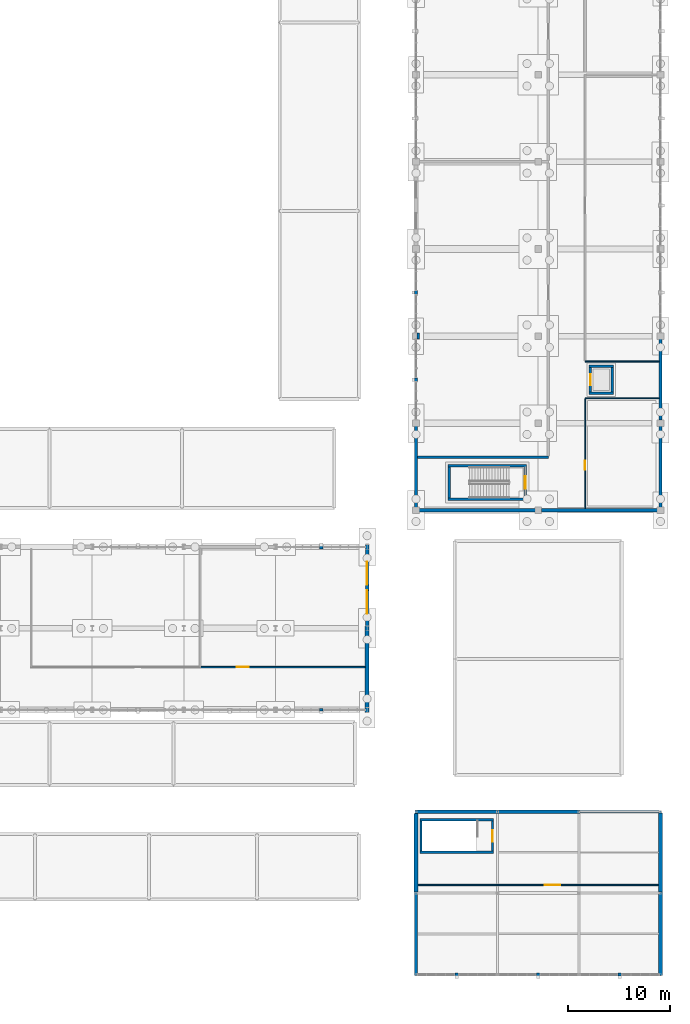
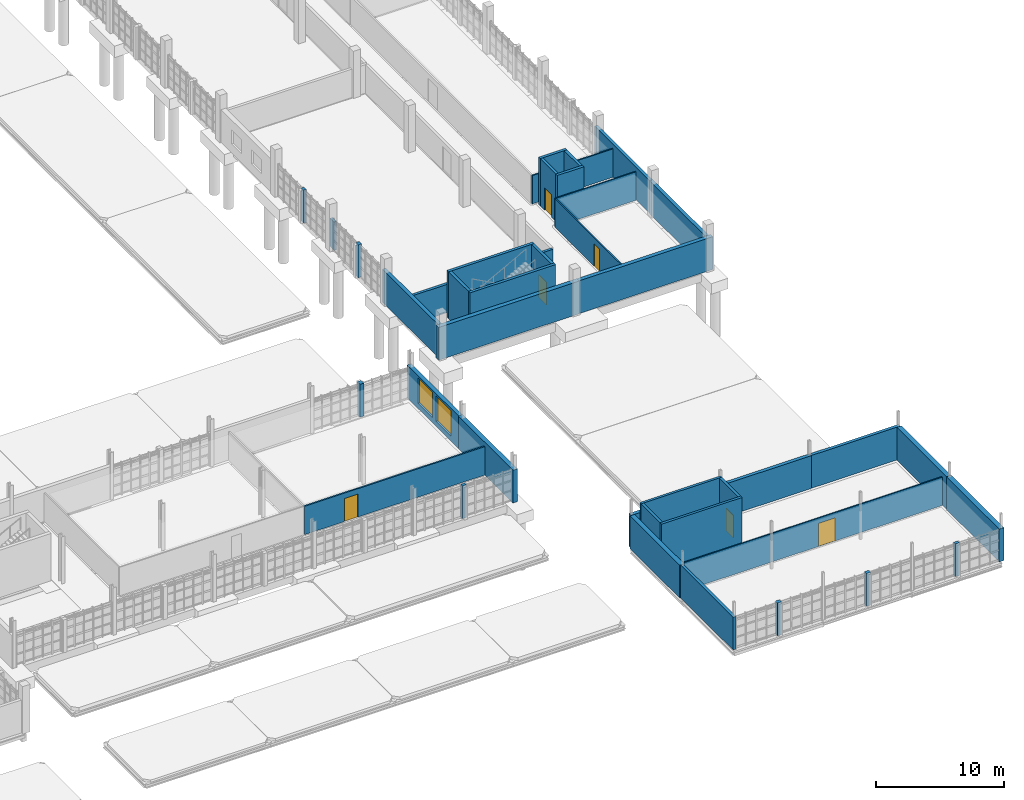
# One storey, part 106 of 125: 40 walls, 6 doors, 2 windows, 8 openings.
"""IFC4 building model written with IfcOpenShell, lengths in metres."""

from ifc_helpers import new_model, si_unit, direction, frame, frame_2d, origin, place, context, subcontext, project, spatial, rectangle, extrude, material, layer, layer_set, type_object, element, fill, save


model = new_model("IFC4")

# Units and contexts
model_context = context("Model", 3, precision=1e-05, world=origin(), true_north=direction((0.0, 1.0)))
body_context = subcontext(model_context, "Body", "Model", "MODEL_VIEW")
ifc_project = project(units=[si_unit("LENGTHUNIT", "METRE"), si_unit("AREAUNIT", "SQUARE_METRE"), si_unit("VOLUMEUNIT", "CUBIC_METRE"), si_unit("PLANEANGLEUNIT", "RADIAN"), si_unit("MASSUNIT", "GRAM", prefix="KILO")], contexts=[model_context])

# Site, building, storey
site_placement = place(None, origin())
site = spatial("IfcSite", under=ifc_project, at=site_placement, CompositionType="ELEMENT")
building_placement = place(site_placement, origin())
building = spatial("IfcBuilding", under=site, at=building_placement, Name="Serraforn Aerial Cableway Station", CompositionType="ELEMENT")
storey_placement = place(building_placement, frame((0.0, 0.0, 4.5)))
storey = spatial("IfcBuildingStorey", under=building, at=storey_placement, Name="L01", CompositionType="ELEMENT", Elevation=4.5)

# Wall, opening, door
ifc_material_1 = material(Name="Concrete C35/45", Category="concrete")
ifc_layer_1 = layer(ifc_material_1, 0.219970703125)
ifc_layer_set_1 = layer_set([ifc_layer_1], Name="Concrete C35/45")
wall_type_1 = type_object("IfcWallType", Name="WL-COR-220", PredefinedType="SHEAR", material=ifc_layer_set_1)
wall_1_placement = place(storey_placement, frame((151.510009765625, 15.10009765625, 0.0), z_axis=(0.0, 0.0, 1.0), x_axis=(0.0, -1.0, 0.0)))
wall_1 = element("IfcWall", 1, at=wall_1_placement, inside=storey, type_object=wall_type_1, Name="Stair Core Shear Wall WCOR-ST-07-L01-NEAR", PredefinedType="SHEAR", context=body_context, shape_type="SweptSolid", body=[
    extrude(rectangle(XDim=2.960205078125, YDim=0.219970703125, at=frame_2d((1.47998046875, 0.0))), origin(), (0.0, 0.0, 1.0), 4.5),
])
opening_1_placement = place(wall_1_placement, frame((0.905029296875, 0.0, 0.0)))
opening_1 = element("IfcOpeningElement", 2, at=opening_1_placement, cuts=wall_1, Name="Opening D-S32", PredefinedType="OPENING", context=body_context, shape_type="SweptSolid", body=[
    extrude(rectangle(XDim=1.14990234375, YDim=2.14990234375, at=frame_2d((0.574951171875, 1.074951171875))), frame((0.0, 0.119873046875, 0.0), z_axis=(0.0, -1.0, 0.0), x_axis=(1.0, 0.0, 0.0)), (0.0, 0.0, 1.0), 0.239990234375),
])
ifc_material_2 = material(Name="Self-closing steel stair fire door", Category="steel")
door_type_1 = type_object("IfcDoorType", Name="DR-STAIR-115", OperationType="NOTDEFINED", PredefinedType="DOOR", material=ifc_material_2)
door_1_placement = place(opening_1_placement, origin())
door_1 = element("IfcDoor", 3, at=door_1_placement, inside=storey, type_object=door_type_1, Name="Protected Stair Door D-S32", OperationType="SINGLE_SWING_RIGHT", OverallHeight=2.14990234375, OverallWidth=1.14990234375, PredefinedType="DOOR", context=body_context, shape_type="SweptSolid", body=[
    extrude(rectangle(XDim=1.14990234375, YDim=2.14990234375, at=frame_2d((0.574951171875, 1.074951171875))), frame((0.0, 0.02490234375, 0.0), z_axis=(0.0, -1.0, 0.0), x_axis=(1.0, 0.0, 0.0)), (0.0, 0.0, 1.0), 0.050048828125),
])
fill(opening_1, door_1)

# Walls
wall_2_placement = place(storey_placement, frame((144.489990234375, 15.10009765625, 0.0), z_axis=(0.0, 0.0, 1.0), x_axis=(0.0, -1.0, 0.0)))
element("IfcWall", 4, at=wall_2_placement, inside=storey, type_object=wall_type_1, Name="Stair Core Shear Wall WCOR-ST-07-L01-FAR", PredefinedType="SHEAR", context=body_context, shape_type="SweptSolid", body=[
    extrude(rectangle(XDim=2.960205078125, YDim=0.219970703125, at=frame_2d((1.47998046875, 0.0))), origin(), (0.0, 0.0, 1.0), 4.5),
])
for number, where, z_axis, x_axis, name in (
    (5, (151.6201171875, 15.2099609375, 0.0), (0.0, 0.0, 1.0), (-1.0, 0.0, 0.0), "Stair Core Shear Wall WCOR-ST-07-L01-L"),
    (6, (151.6201171875, 12.030029296875, 0.0), (0.0, 0.0, 1.0), (-1.0, 0.0, 0.0), "Stair Core Shear Wall WCOR-ST-07-L01-R"),
):
    element("IfcWall", number, at=place(storey_placement, frame(where, z_axis=z_axis, x_axis=x_axis)), inside=storey, type_object=wall_type_1, Name=name, PredefinedType="SHEAR", context=body_context, shape_type="SweptSolid", body=[
        extrude(rectangle(XDim=7.240234375, YDim=0.219970703125, at=frame_2d((3.6201171875, 0.0))), origin(), (0.0, 0.0, 1.0), 4.5),
    ])

# Wall, opening, door
ifc_layer_2 = layer(ifc_material_1, 0.25)
ifc_layer_set_2 = layer_set([ifc_layer_2], Name="Concrete C35/45")
wall_type_2 = type_object("IfcWallType", Name="WL-COR-250", PredefinedType="SHEAR", material=ifc_layer_set_2)
wall_3_placement = place(storey_placement, frame((154.72509765625, 49.860107421875, 0.0), z_axis=(0.0, 0.0, 1.0), x_axis=(0.0, -1.0, 0.0)))
wall_3 = element("IfcWall", 7, at=wall_3_placement, inside=storey, type_object=wall_type_2, Name="Stair Core Shear Wall WCOR-ST-10-L01-NEAR", PredefinedType="SHEAR", context=body_context, shape_type="SweptSolid", body=[
    extrude(rectangle(XDim=3.06005859375, YDim=0.25, at=frame_2d((1.530029296875, 0.0))), origin(), (0.0, 0.0, 1.0), 4.5),
])
opening_2_placement = place(wall_3_placement, frame((0.905029296875, 0.0, 0.0)))
opening_2 = element("IfcOpeningElement", 8, at=opening_2_placement, cuts=wall_3, Name="Opening D-S35", PredefinedType="OPENING", context=body_context, shape_type="SweptSolid", body=[
    extrude(rectangle(XDim=1.25, YDim=2.14990234375, at=frame_2d((0.625, 1.074951171875))), frame((0.0, 0.135009765625, 0.0), z_axis=(0.0, -1.0, 0.0), x_axis=(1.0, 0.0, 0.0)), (0.0, 0.0, 1.0), 0.27001953125),
])
door_type_2 = type_object("IfcDoorType", Name="DR-STAIR-125", OperationType="NOTDEFINED", PredefinedType="DOOR", material=ifc_material_2)
door_2_placement = place(opening_2_placement, origin())
door_2 = element("IfcDoor", 9, at=door_2_placement, inside=storey, type_object=door_type_2, Name="Protected Stair Door D-S35", OperationType="SINGLE_SWING_LEFT", OverallHeight=2.14990234375, OverallWidth=1.25, PredefinedType="DOOR", context=body_context, shape_type="SweptSolid", body=[
    extrude(rectangle(XDim=1.25, YDim=2.14990234375, at=frame_2d((0.625, 1.074951171875))), frame((0.0, 0.02490234375, 0.0), z_axis=(0.0, -1.0, 0.0), x_axis=(1.0, 0.0, 0.0)), (0.0, 0.0, 1.0), 0.050048828125),
])
fill(opening_2, door_2)

# Walls
wall_4_placement = place(storey_placement, frame((147.27490234375, 49.860107421875, 0.0), z_axis=(0.0, 0.0, 1.0), x_axis=(0.0, -1.0, 0.0)))
element("IfcWall", 10, at=wall_4_placement, inside=storey, type_object=wall_type_2, Name="Stair Core Shear Wall WCOR-ST-10-L01-FAR", PredefinedType="SHEAR", context=body_context, shape_type="SweptSolid", body=[
    extrude(rectangle(XDim=3.06005859375, YDim=0.25, at=frame_2d((1.530029296875, 0.0))), origin(), (0.0, 0.0, 1.0), 4.5),
])
for number, where, z_axis, x_axis, name in (
    (11, (154.85009765625, 49.985107421875, 0.0), (0.0, 0.0, 1.0), (-1.0, 0.0, 0.0), "Stair Core Shear Wall WCOR-ST-10-L01-L"),
    (12, (154.85009765625, 46.675048828125, 0.0), (0.0, 0.0, 1.0), (-1.0, 0.0, 0.0), "Stair Core Shear Wall WCOR-ST-10-L01-R"),
):
    element("IfcWall", number, at=place(storey_placement, frame(where, z_axis=z_axis, x_axis=x_axis)), inside=storey, type_object=wall_type_2, Name=name, PredefinedType="SHEAR", context=body_context, shape_type="SweptSolid", body=[
        extrude(rectangle(XDim=7.7001953125, YDim=0.25, at=frame_2d((3.85009765625, 0.0))), origin(), (0.0, 0.0, 1.0), 4.5),
    ])
for number, where, z_axis, x_axis, name in (
    (13, (161.0, 57.074951171875, 0.0), (0.0, 0.0, 1.0), (1.0, 0.0, 0.0), "Lift Shaft Shear Wall WLFT-LF-06-L01-S"),
    (14, (161.0, 59.72509765625, 0.0), (0.0, 0.0, 1.0), (1.0, 0.0, 0.0), "Lift Shaft Shear Wall WLFT-LF-06-L01-N"),
):
    element("IfcWall", number, at=place(storey_placement, frame(where, z_axis=z_axis, x_axis=x_axis)), inside=storey, type_object=wall_type_2, Name=name, PredefinedType="SHEAR", context=body_context, shape_type="SweptSolid", body=[
        extrude(rectangle(XDim=2.39990234375, YDim=0.25, at=frame_2d((1.199951171875, 0.0))), origin(), (0.0, 0.0, 1.0), 4.5),
    ])

# Wall, opening, door
wall_5_placement = place(storey_placement, frame((161.125, 57.199951171875, 0.0), z_axis=(0.0, 0.0, 1.0), x_axis=(0.0, 1.0, 0.0)))
wall_5 = element("IfcWall", 15, at=wall_5_placement, inside=storey, type_object=wall_type_2, Name="Lift Shaft Shear Wall WLFT-LF-06-L01-W", PredefinedType="SHEAR", context=body_context, shape_type="SweptSolid", body=[
    extrude(rectangle(XDim=2.400146484375, YDim=0.25, at=frame_2d((1.2001953125, 0.0))), origin(), (0.0, 0.0, 1.0), 4.5),
])
opening_3_placement = place(wall_5_placement, frame((0.64990234375, 0.0, 0.0)))
opening_3 = element("IfcOpeningElement", 16, at=opening_3_placement, cuts=wall_5, Name="Opening LD-22", PredefinedType="OPENING", context=body_context, shape_type="SweptSolid", body=[
    extrude(rectangle(XDim=1.10009765625, YDim=2.14990234375, at=frame_2d((0.550048828125, 1.074951171875))), frame((0.0, 0.135009765625, 0.0), z_axis=(0.0, -1.0, 0.0), x_axis=(1.0, 0.0, 0.0)), (0.0, 0.0, 1.0), 0.27001953125),
])
ifc_material_3 = material(Name="Brushed stainless-steel sliding lift landing door", Category="steel")
door_type_3 = type_object("IfcDoorType", Name="DR-LIFT-110", OperationType="SLIDING_TO_LEFT", PredefinedType="DOOR", material=ifc_material_3)
door_3_placement = place(opening_3_placement, origin())
door_3 = element("IfcDoor", 17, at=door_3_placement, inside=storey, type_object=door_type_3, Name="Sliding Lift Landing Door LD-22 (LF-06 L01)", OperationType="SLIDING_TO_LEFT", OverallHeight=2.14990234375, OverallWidth=1.10009765625, PredefinedType="DOOR", context=body_context, shape_type="SweptSolid", body=[
    extrude(rectangle(XDim=1.10009765625, YDim=2.14990234375, at=frame_2d((0.550048828125, 1.074951171875))), frame((0.0, 0.02490234375, 0.0), z_axis=(0.0, -1.0, 0.0), x_axis=(1.0, 0.0, 0.0)), (0.0, 0.0, 1.0), 0.050048828125),
])
fill(opening_3, door_3)

# Walls
wall_6_placement = place(storey_placement, frame((163.27490234375, 57.199951171875, 0.0), z_axis=(0.0, 0.0, 1.0), x_axis=(0.0, 1.0, 0.0)))
element("IfcWall", 18, at=wall_6_placement, inside=storey, type_object=wall_type_2, Name="Lift Shaft Shear Wall WLFT-LF-06-L01-E", PredefinedType="SHEAR", context=body_context, shape_type="SweptSolid", body=[
    extrude(rectangle(XDim=2.400146484375, YDim=0.25, at=frame_2d((1.2001953125, 0.0))), origin(), (0.0, 0.0, 1.0), 4.5),
])
ifc_material_4 = material(Name="Insulated stuccoed terracotta facade", Category="masonry")
ifc_layer_3 = layer(ifc_material_4, 0.260009765625)
ifc_layer_set_3 = layer_set([ifc_layer_3], Name="Insulated stuccoed terracotta facade")
wall_type_3 = type_object("IfcWallType", Name="WL-EXT-260", PredefinedType="SOLIDWALL", material=ifc_layer_set_3)
wall_7_placement = place(storey_placement, frame((144.0, 8.10009765625, 0.0), z_axis=(0.0, 0.0, 1.0), x_axis=(0.0, -1.0, 0.0)))
element("IfcWall", 19, at=wall_7_placement, inside=storey, type_object=wall_type_3, Name="Exterior Wall WEXT-ES-L01-W1", PredefinedType="SOLIDWALL", context=body_context, shape_type="SweptSolid", body=[
    extrude(rectangle(XDim=8.2001953125, YDim=0.260009765625, at=frame_2d((4.10009765625, 0.0))), origin(), (0.0, 0.0, 1.0), 3.1201171875),
])
wall_8_placement = place(storey_placement, frame((134.52001953125, 26.0, 0.0), z_axis=(0.0, 0.0, 1.0), x_axis=(1.0, 0.0, 0.0)))
element("IfcWall", 20, at=wall_8_placement, inside=storey, type_object=wall_type_3, Name="Exterior Wall WPIER-EL-L01-S5", PredefinedType="SOLIDWALL", context=body_context, shape_type="SweptSolid", body=[
    extrude(rectangle(XDim=0.35986328125, YDim=0.260009765625, at=frame_2d((0.179931640625, 0.0))), origin(), (0.0, 0.0, 1.0), 3.1201171875),
])
wall_9_placement = place(storey_placement, frame((144.0, 67.155029296875, 0.0), z_axis=(0.0, 0.0, 1.0), x_axis=(0.0, -1.0, 0.0)))
element("IfcWall", 21, at=wall_9_placement, inside=storey, type_object=wall_type_3, Name="Exterior Wall WPIER-EG-L01-W3", PredefinedType="SOLIDWALL", context=body_context, shape_type="SweptSolid", body=[
    extrude(rectangle(XDim=0.360107421875, YDim=0.260009765625, at=frame_2d((0.18017578125, 0.0))), origin(), (0.0, 0.0, 1.0), 3.1201171875),
])
ifc_layer_4 = layer(ifc_material_4, 0.27490234375)
ifc_layer_set_4 = layer_set([ifc_layer_4], Name="Insulated stuccoed terracotta facade")
wall_type_4 = type_object("IfcWallType", Name="WL-EXT-275", PredefinedType="SOLIDWALL", material=ifc_layer_set_4)
wall_10_placement = place(storey_placement, frame((168.10009765625, 16.0, 0.0), z_axis=(0.0, 0.0, 1.0), x_axis=(-1.0, 0.0, 0.0)))
element("IfcWall", 22, at=wall_10_placement, inside=storey, type_object=wall_type_4, Name="Exterior Wall WEXT-ES-L01-N3", PredefinedType="SOLIDWALL", context=body_context, shape_type="SweptSolid", body=[
    extrude(rectangle(XDim=7.9990234375, YDim=0.27490234375, at=frame_2d((3.99951171875, 0.0))), origin(), (0.0, 0.0, 1.0), 3.1201171875),
])
wall_11_placement = place(storey_placement, frame((168.0, 54.47607421875, 0.0), z_axis=(0.0, 0.0, 1.0), x_axis=(0.0, 1.0, 0.0)))
element("IfcWall", 23, at=wall_11_placement, inside=storey, type_object=wall_type_4, Name="Exterior Wall WEXT-EG-L01-E2", PredefinedType="SOLIDWALL", context=body_context, shape_type="SweptSolid", body=[
    extrude(rectangle(XDim=8.548828125, YDim=0.27490234375, at=frame_2d((4.2744140625, 0.0))), origin(), (0.0, 0.0, 1.0), 3.1201171875),
])
ifc_material_5 = material(Name="Insulated fluted limestone rainscreen", Category="masonry")
ifc_layer_5 = layer(ifc_material_5, 0.2900390625)
ifc_layer_set_5 = layer_set([ifc_layer_5], Name="Insulated fluted limestone rainscreen")
wall_type_5 = type_object("IfcWallType", Name="WL-EXT-290", PredefinedType="SOLIDWALL", material=ifc_layer_set_5)
for number, where, z_axis, x_axis, name in (
    (24, (163.820068359375, 0.0, 0.0), (0.0, 0.0, 1.0), (1.0, 0.0, 0.0), "Exterior Wall WPIER-ES-L01-S3"),
    (25, (144.0, 58.60498046875, 0.0), (0.0, 0.0, 1.0), (0.0, -1.0, 0.0), "Exterior Wall WPIER-EG-L01-W2"),
):
    element("IfcWall", number, at=place(storey_placement, frame(where, z_axis=z_axis, x_axis=x_axis)), inside=storey, type_object=wall_type_5, Name=name, PredefinedType="SOLIDWALL", context=body_context, shape_type="SweptSolid", body=[
        extrude(rectangle(XDim=0.35986328125, YDim=0.2900390625, at=frame_2d((0.179931640625, 0.0))), origin(), (0.0, 0.0, 1.0), 3.1201171875),
    ])
ifc_layer_6 = layer(ifc_material_5, 0.304931640625)
ifc_layer_set_6 = layer_set([ifc_layer_6], Name="Insulated fluted limestone rainscreen")
wall_type_6 = type_object("IfcWallType", Name="WL-EXT-305", PredefinedType="SOLIDWALL", material=ifc_layer_set_6)
wall_12_placement = place(storey_placement, frame((160.10009765625, 16.0, 0.0), z_axis=(0.0, 0.0, 1.0), x_axis=(-1.0, 0.0, 0.0)))
element("IfcWall", 26, at=wall_12_placement, inside=storey, type_object=wall_type_6, Name="Exterior Wall WEXT-ES-L01-N2", PredefinedType="SOLIDWALL", context=body_context, shape_type="SweptSolid", body=[
    extrude(rectangle(XDim=7.9990234375, YDim=0.304931640625, at=frame_2d((3.99951171875, 0.0))), origin(), (0.0, 0.0, 1.0), 3.1201171875),
])
wall_13_placement = place(storey_placement, frame((168.0, 45.77587890625, 0.0), z_axis=(0.0, 0.0, 1.0), x_axis=(0.0, 1.0, 0.0)))
element("IfcWall", 27, at=wall_13_placement, inside=storey, type_object=wall_type_6, Name="Exterior Wall WEXT-EG-L01-E1", PredefinedType="SOLIDWALL", context=body_context, shape_type="SweptSolid", body=[
    extrude(rectangle(XDim=8.69921875, YDim=0.304931640625, at=frame_2d((4.349609375, 0.0))), origin(), (0.0, 0.0, 1.0), 3.1201171875),
])
ifc_layer_7 = layer(ifc_material_5, 0.320068359375)
ifc_layer_set_7 = layer_set([ifc_layer_7], Name="Insulated fluted limestone rainscreen")
wall_type_7 = type_object("IfcWallType", Name="WL-EXT-320", PredefinedType="SOLIDWALL", material=ifc_layer_set_7)
wall_14_placement = place(storey_placement, frame((155.820068359375, 0.0, 0.0), z_axis=(0.0, 0.0, 1.0), x_axis=(1.0, 0.0, 0.0)))
element("IfcWall", 28, at=wall_14_placement, inside=storey, type_object=wall_type_7, Name="Exterior Wall WPIER-ES-L01-S2", PredefinedType="SOLIDWALL", context=body_context, shape_type="SweptSolid", body=[
    extrude(rectangle(XDim=0.35986328125, YDim=0.320068359375, at=frame_2d((0.179931640625, 0.0))), origin(), (0.0, 0.0, 1.0), 3.1201171875),
])
wall_15_placement = place(storey_placement, frame((144.0, 54.47509765625, 0.0), z_axis=(0.0, 0.0, 1.0), x_axis=(0.0, -1.0, 0.0)))
element("IfcWall", 29, at=wall_15_placement, inside=storey, type_object=wall_type_7, Name="Exterior Wall WEXT-EG-L01-W1", PredefinedType="SOLIDWALL", context=body_context, shape_type="SweptSolid", body=[
    extrude(rectangle(XDim=8.68408203125, YDim=0.320068359375, at=frame_2d((4.342041015625, 0.0))), origin(), (0.0, 0.0, 1.0), 3.1201171875),
])
ifc_layer_8 = layer(ifc_material_5, 0.3349609375)
ifc_layer_set_8 = layer_set([ifc_layer_8], Name="Insulated fluted limestone rainscreen")
wall_type_8 = type_object("IfcWallType", Name="WL-EXT-335", PredefinedType="SOLIDWALL", material=ifc_layer_set_8)
wall_16_placement = place(storey_placement, frame((152.10009765625, 16.0, 0.0), z_axis=(0.0, 0.0, 1.0), x_axis=(-1.0, 0.0, 0.0)))
element("IfcWall", 30, at=wall_16_placement, inside=storey, type_object=wall_type_8, Name="Exterior Wall WEXT-ES-L01-N1", PredefinedType="SOLIDWALL", context=body_context, shape_type="SweptSolid", body=[
    extrude(rectangle(XDim=8.2001953125, YDim=0.3349609375, at=frame_2d((4.10009765625, 0.0))), origin(), (0.0, 0.0, 1.0), 3.1201171875),
])
ifc_material_6 = material(Name="Montjuic sandstone ashlar masonry", Category="masonry")
ifc_layer_9 = layer(ifc_material_6, 0.35009765625)
ifc_layer_set_9 = layer_set([ifc_layer_9], Name="Montjuic sandstone ashlar masonry")
wall_type_9 = type_object("IfcWallType", Name="WL-EXT-350", PredefinedType="SOLIDWALL", material=ifc_layer_set_9)
wall_17_placement = place(storey_placement, frame((147.820068359375, 0.0, 0.0), z_axis=(0.0, 0.0, 1.0), x_axis=(1.0, 0.0, 0.0)))
element("IfcWall", 31, at=wall_17_placement, inside=storey, type_object=wall_type_9, Name="Exterior Wall WPIER-ES-L01-S1", PredefinedType="SOLIDWALL", context=body_context, shape_type="SweptSolid", body=[
    extrude(rectangle(XDim=0.35986328125, YDim=0.35009765625, at=frame_2d((0.179931640625, 0.0))), origin(), (0.0, 0.0, 1.0), 3.1201171875),
])
wall_18_placement = place(storey_placement, frame((156.325927734375, 45.60009765625, 0.0), z_axis=(0.0, 0.0, 1.0), x_axis=(1.0, 0.0, 0.0)))
element("IfcWall", 32, at=wall_18_placement, inside=storey, type_object=wall_type_9, Name="Exterior Wall WEXT-EG-L01-S2", PredefinedType="SOLIDWALL", context=body_context, shape_type="SweptSolid", body=[
    extrude(rectangle(XDim=11.9990234375, YDim=0.35009765625, at=frame_2d((5.99951171875, 0.0))), origin(), (0.0, 0.0, 1.0), 3.1201171875),
])

# Wall, openings, windows
ifc_layer_10 = layer(ifc_material_6, 0.364990234375)
ifc_layer_set_10 = layer_set([ifc_layer_10], Name="Montjuic sandstone ashlar masonry")
wall_type_10 = type_object("IfcWallType", Name="WL-EXT-365", PredefinedType="SOLIDWALL", material=ifc_layer_set_10)
wall_19_placement = place(storey_placement, frame((139.199951171875, 34.2509765625, 0.0), z_axis=(0.0, 0.0, 1.0), x_axis=(0.0, 1.0, 0.0)))
wall_19 = element("IfcWall", 33, at=wall_19_placement, inside=storey, type_object=wall_type_10, Name="Exterior Wall WEXT-EL-L01-E2", PredefinedType="SOLIDWALL", context=body_context, shape_type="SweptSolid", body=[
    extrude(rectangle(XDim=7.9990234375, YDim=0.364990234375, at=frame_2d((3.99951171875, 0.0))), origin(), (0.0, 0.0, 1.0), 3.1201171875),
])
opening_4_placement = place(wall_19_placement, frame((1.182373046875, 0.0, 0.5)))
opening_4 = element("IfcOpeningElement", 34, at=opening_4_placement, cuts=wall_19, Name="Opening W-14", PredefinedType="OPENING", context=body_context, shape_type="SweptSolid", body=[
    extrude(rectangle(XDim=2.300048828125, YDim=2.39990234375, at=frame_2d((1.14990234375, 1.199951171875))), frame((0.0, 0.1923828125, 0.0), z_axis=(0.0, -1.0, 0.0), x_axis=(1.0, 0.0, 0.0)), (0.0, 0.0, 1.0), 0.385009765625),
])
opening_5_placement = place(wall_19_placement, frame((4.015625, 0.0, 0.5)))
opening_5 = element("IfcOpeningElement", 35, at=opening_5_placement, cuts=wall_19, Name="Opening W-14", PredefinedType="OPENING", context=body_context, shape_type="SweptSolid", body=[
    extrude(rectangle(XDim=2.300048828125, YDim=2.39990234375, at=frame_2d((1.14990234375, 1.199951171875))), frame((0.0, 0.1923828125, 0.0), z_axis=(0.0, -1.0, 0.0), x_axis=(1.0, 0.0, 0.0)), (0.0, 0.0, 1.0), 0.385009765625),
])
ifc_material_7 = material(Name="Anodised bronze aluminium and low-E double glazing", Category="aluminium")
window_type = type_object("IfcWindowType", Name="WIN-ART-14", PartitioningType="SINGLE_PANEL", PredefinedType="WINDOW", material=ifc_material_7)
window_1_placement = place(opening_4_placement, origin())
window_1 = element("IfcWindow", 36, at=window_1_placement, inside=storey, type_object=window_type, Name="Art Deco Window WEXT-EL-L01-E2-W1", OverallHeight=2.39990234375, OverallWidth=2.300048828125, PartitioningType="SINGLE_PANEL", PredefinedType="WINDOW", context=body_context, shape_type="SweptSolid", body=[
    extrude(rectangle(XDim=2.300048828125, YDim=2.39990234375, at=frame_2d((1.14990234375, 1.199951171875))), frame((0.0, 0.030029296875, 0.0), z_axis=(0.0, -1.0, 0.0), x_axis=(1.0, 0.0, 0.0)), (0.0, 0.0, 1.0), 0.06005859375),
])
fill(opening_4, window_1)
window_2_placement = place(opening_5_placement, origin())
window_2 = element("IfcWindow", 37, at=window_2_placement, inside=storey, type_object=window_type, Name="Art Deco Window WEXT-EL-L01-E2-W2", OverallHeight=2.39990234375, OverallWidth=2.300048828125, PartitioningType="SINGLE_PANEL", PredefinedType="WINDOW", context=body_context, shape_type="SweptSolid", body=[
    extrude(rectangle(XDim=2.300048828125, YDim=2.39990234375, at=frame_2d((1.14990234375, 1.199951171875))), frame((0.0, 0.030029296875, 0.0), z_axis=(0.0, -1.0, 0.0), x_axis=(1.0, 0.0, 0.0)), (0.0, 0.0, 1.0), 0.06005859375),
])
fill(opening_5, window_2)

# Walls
ifc_layer_11 = layer(ifc_material_6, 0.3798828125)
ifc_layer_set_11 = layer_set([ifc_layer_11], Name="Montjuic sandstone ashlar masonry")
wall_type_11 = type_object("IfcWallType", Name="WL-EXT-380", PredefinedType="SOLIDWALL", material=ifc_layer_set_11)
wall_20_placement = place(storey_placement, frame((143.675048828125, 45.60009765625, 0.0), z_axis=(0.0, 0.0, 1.0), x_axis=(1.0, 0.0, 0.0)))
element("IfcWall", 38, at=wall_20_placement, inside=storey, type_object=wall_type_11, Name="Exterior Wall WEXT-EG-L01-S1", PredefinedType="SOLIDWALL", context=body_context, shape_type="SweptSolid", body=[
    extrude(rectangle(XDim=12.64990234375, YDim=0.3798828125, at=frame_2d((6.324951171875, 0.0))), origin(), (0.0, 0.0, 1.0), 3.1201171875),
])
ifc_layer_12 = layer(ifc_material_6, 0.39990234375)
ifc_layer_set_12 = layer_set([ifc_layer_12], Name="Montjuic sandstone ashlar masonry")
wall_type_12 = type_object("IfcWallType", Name="WL-EXT-400", PredefinedType="SOLIDWALL", material=ifc_layer_set_12)
wall_21_placement = place(storey_placement, frame((168.0, 8.10107421875, 0.0), z_axis=(0.0, 0.0, 1.0), x_axis=(0.0, 1.0, 0.0)))
element("IfcWall", 39, at=wall_21_placement, inside=storey, type_object=wall_type_12, Name="Exterior Wall WEXT-ES-L01-E2", PredefinedType="SOLIDWALL", context=body_context, shape_type="SweptSolid", body=[
    extrude(rectangle(XDim=7.760498046875, YDim=0.39990234375, at=frame_2d((3.88037109375, 0.0))), origin(), (0.0, 0.0, 1.0), 3.1201171875),
])
wall_22_placement = place(storey_placement, frame((139.199951171875, 25.75, 0.0), z_axis=(0.0, 0.0, 1.0), x_axis=(0.0, 1.0, 0.0)))
element("IfcWall", 40, at=wall_22_placement, inside=storey, type_object=wall_type_12, Name="Exterior Wall WEXT-EL-L01-E1", PredefinedType="SOLIDWALL", context=body_context, shape_type="SweptSolid", body=[
    extrude(rectangle(XDim=8.5, YDim=0.39990234375, at=frame_2d((4.25, 0.0))), origin(), (0.0, 0.0, 1.0), 3.1201171875),
])
ifc_layer_13 = layer(ifc_material_6, 0.4150390625)
ifc_layer_set_13 = layer_set([ifc_layer_13], Name="Montjuic sandstone ashlar masonry")
wall_type_13 = type_object("IfcWallType", Name="WL-EXT-415", PredefinedType="SOLIDWALL", material=ifc_layer_set_13)
wall_23_placement = place(storey_placement, frame((144.0, 15.83154296875, 0.0), z_axis=(0.0, 0.0, 1.0), x_axis=(0.0, -1.0, 0.0)))
element("IfcWall", 41, at=wall_23_placement, inside=storey, type_object=wall_type_13, Name="Exterior Wall WEXT-ES-L01-W2", PredefinedType="SOLIDWALL", context=body_context, shape_type="SweptSolid", body=[
    extrude(rectangle(XDim=7.73046875, YDim=0.4150390625, at=frame_2d((3.865234375, 0.0))), origin(), (0.0, 0.0, 1.0), 3.1201171875),
])
ifc_layer_14 = layer(ifc_material_6, 0.429931640625)
ifc_layer_set_14 = layer_set([ifc_layer_14], Name="Montjuic sandstone ashlar masonry")
wall_type_14 = type_object("IfcWallType", Name="WL-EXT-430", PredefinedType="SOLIDWALL", material=ifc_layer_set_14)
wall_24_placement = place(storey_placement, frame((168.0, -0.10009765625, 0.0), z_axis=(0.0, 0.0, 1.0), x_axis=(0.0, 1.0, 0.0)))
element("IfcWall", 42, at=wall_24_placement, inside=storey, type_object=wall_type_14, Name="Exterior Wall WEXT-ES-L01-E1", PredefinedType="SOLIDWALL", context=body_context, shape_type="SweptSolid", body=[
    extrude(rectangle(XDim=8.2001953125, YDim=0.429931640625, at=frame_2d((4.10009765625, 0.0))), origin(), (0.0, 0.0, 1.0), 3.1201171875),
])
wall_25_placement = place(storey_placement, frame((134.8798828125, 42.0, 0.0), z_axis=(0.0, 0.0, 1.0), x_axis=(-1.0, 0.0, 0.0)))
element("IfcWall", 43, at=wall_25_placement, inside=storey, type_object=wall_type_14, Name="Exterior Wall WPIER-EL-L01-N5", PredefinedType="SOLIDWALL", context=body_context, shape_type="SweptSolid", body=[
    extrude(rectangle(XDim=0.35986328125, YDim=0.429931640625, at=frame_2d((0.179931640625, 0.0))), origin(), (0.0, 0.0, 1.0), 3.1201171875),
])
ifc_material_8 = material(Name="Concrete C30/37", Category="concrete")
ifc_layer_15 = layer(ifc_material_8, 0.241943359375)
ifc_layer_set_15 = layer_set([ifc_layer_15], Name="Concrete C30/37")
wall_type_15 = type_object("IfcWallType", Name="WL-FIR-242", PredefinedType="SOLIDWALL", material=ifc_layer_set_15)
wall_26_placement = place(storey_placement, frame((157.0, 50.800048828125, 0.0), z_axis=(0.0, 0.0, 1.0), x_axis=(-1.0, 0.0, 0.0)))
element("IfcWall", 44, at=wall_26_placement, inside=storey, type_object=wall_type_15, Name="Interior Partition WPRT-L01-15-142", PredefinedType="SOLIDWALL", context=body_context, shape_type="SweptSolid", body=[
    extrude(rectangle(XDim=12.839111328125, YDim=0.241943359375, at=frame_2d((6.41943359375, 0.0))), origin(), (0.0, 0.0, 1.0), 2.699951171875),
])
ifc_material_9 = material(Name="Glazed acoustic timber-framed partition", Category="wood")
ifc_layer_16 = layer(ifc_material_9, 0.10205078125)
ifc_layer_set_16 = layer_set([ifc_layer_16], Name="Glazed acoustic timber-framed partition")
wall_type_16 = type_object("IfcWallType", Name="WL-PRT-102", PredefinedType="PARTITIONING", material=ifc_layer_set_16)
wall_27_placement = place(storey_placement, frame((160.60009765625, 56.60009765625, 0.0), z_axis=(0.0, 0.0, 1.0), x_axis=(1.0, 0.0, 0.0)))
element("IfcWall", 45, at=wall_27_placement, inside=storey, type_object=wall_type_16, Name="Interior Partition WPRT-L01-23-155", PredefinedType="PARTITIONING", context=body_context, shape_type="SweptSolid", body=[
    extrude(rectangle(XDim=7.261474609375, YDim=0.10205078125, at=frame_2d((3.630859375, 0.0))), origin(), (0.0, 0.0, 1.0), 2.699951171875),
])

# Wall, opening, door
ifc_layer_17 = layer(ifc_material_9, 0.10595703125)
ifc_layer_set_17 = layer_set([ifc_layer_17], Name="Glazed acoustic timber-framed partition")
wall_type_17 = type_object("IfcWallType", Name="WL-PRT-106", PredefinedType="PARTITIONING", material=ifc_layer_set_17)
wall_28_placement = place(storey_placement, frame((144.20849609375, 8.800048828125, 0.0), z_axis=(0.0, 0.0, 1.0), x_axis=(1.0, 0.0, 0.0)))
wall_28 = element("IfcWall", 46, at=wall_28_placement, inside=storey, type_object=wall_type_17, Name="Interior Partition WPRT-L01-10-134", PredefinedType="PARTITIONING", context=body_context, shape_type="SweptSolid", body=[
    extrude(rectangle(XDim=23.590576171875, YDim=0.10595703125, at=frame_2d((11.79541015625, 0.0))), origin(), (0.0, 0.0, 1.0), 2.699951171875),
])
opening_6_placement = place(wall_28_placement, frame((12.451416015625, 0.0, 0.0)))
opening_6 = element("IfcOpeningElement", 47, at=opening_6_placement, cuts=wall_28, Name="Opening DI-041", PredefinedType="OPENING", context=body_context, shape_type="SweptSolid", body=[
    extrude(rectangle(XDim=1.47998046875, YDim=2.199951171875, at=frame_2d((0.739990234375, 1.10009765625))), frame((0.0, 0.06298828125, 0.0), z_axis=(0.0, -1.0, 0.0), x_axis=(1.0, 0.0, 0.0)), (0.0, 0.0, 1.0), 0.1259765625),
])
ifc_material_10 = material(Name="Double-leaf glazed salon door")
door_type_4 = type_object("IfcDoorType", Name="DR-INT-148U", OperationType="NOTDEFINED", PredefinedType="DOOR", material=ifc_material_10)
door_4_placement = place(opening_6_placement, origin())
door_4 = element("IfcDoor", 48, at=door_4_placement, inside=storey, type_object=door_type_4, Name="Room Door DI-041 (L01-10)", OperationType="SINGLE_SWING_RIGHT", OverallHeight=2.199951171875, OverallWidth=1.47998046875, PredefinedType="DOOR", context=body_context, shape_type="SweptSolid", body=[
    extrude(rectangle(XDim=1.47998046875, YDim=2.199951171875, at=frame_2d((0.739990234375, 1.10009765625))), frame((0.0, 0.02490234375, 0.0), z_axis=(0.0, -1.0, 0.0), x_axis=(1.0, 0.0, 0.0)), (0.0, 0.0, 1.0), 0.050048828125),
])
fill(opening_6, door_4)

wall_29_placement = place(storey_placement, frame((160.60009765625, 45.77587890625, 0.0), z_axis=(0.0, 0.0, 1.0), x_axis=(0.0, 1.0, 0.0)))
wall_29 = element("IfcWall", 49, at=wall_29_placement, inside=storey, type_object=wall_type_17, Name="Interior Partition WPRT-L01-23-154", PredefinedType="PARTITIONING", context=body_context, shape_type="SweptSolid", body=[
    extrude(rectangle(XDim=10.772216796875, YDim=0.10595703125, at=frame_2d((5.38623046875, 0.0))), origin(), (0.0, 0.0, 1.0), 2.699951171875),
])
opening_7_placement = place(wall_29_placement, frame((3.783935546875, 0.0, 0.0)))
opening_7 = element("IfcOpeningElement", 50, at=opening_7_placement, cuts=wall_29, Name="Opening DI-048", PredefinedType="OPENING", context=body_context, shape_type="SweptSolid", body=[
    extrude(rectangle(XDim=0.8798828125, YDim=2.10009765625, at=frame_2d((0.43994140625, 1.050048828125))), frame((0.0, 0.06298828125, 0.0), z_axis=(0.0, -1.0, 0.0), x_axis=(1.0, 0.0, 0.0)), (0.0, 0.0, 1.0), 0.1259765625),
])
ifc_material_11 = material(Name="Timber acoustic veneer leaf", Category="wood")
door_type_5 = type_object("IfcDoorType", Name="DR-INT-088", OperationType="NOTDEFINED", PredefinedType="DOOR", material=ifc_material_11)
door_5_placement = place(opening_7_placement, origin())
door_5 = element("IfcDoor", 51, at=door_5_placement, inside=storey, type_object=door_type_5, Name="Room Door DI-048 (L01-23)", OperationType="SINGLE_SWING_LEFT", OverallHeight=2.10009765625, OverallWidth=0.8798828125, PredefinedType="DOOR", context=body_context, shape_type="SweptSolid", body=[
    extrude(rectangle(XDim=0.8798828125, YDim=2.10009765625, at=frame_2d((0.43994140625, 1.050048828125))), frame((0.0, 0.02490234375, 0.0), z_axis=(0.0, -1.0, 0.0), x_axis=(1.0, 0.0, 0.0)), (0.0, 0.0, 1.0), 0.050048828125),
])
fill(opening_7, door_5)

# Wall
ifc_material_12 = material(Name="Metal-stud gypsum partition")
ifc_layer_18 = layer(ifc_material_12, 0.117919921875)
ifc_layer_set_18 = layer_set([ifc_layer_18], Name="Metal-stud gypsum partition")
wall_type_18 = type_object("IfcWallType", Name="WL-PRT-118", PredefinedType="PARTITIONING", material=ifc_layer_set_18)
wall_30_placement = place(storey_placement, frame((167.861572265625, 60.199951171875, 0.0), z_axis=(0.0, 0.0, 1.0), x_axis=(-1.0, 0.0, 0.0)))
element("IfcWall", 52, at=wall_30_placement, inside=storey, type_object=wall_type_18, Name="Interior Partition WPRT-L01-17-151", PredefinedType="PARTITIONING", context=body_context, shape_type="SweptSolid", body=[
    extrude(rectangle(XDim=7.261474609375, YDim=0.117919921875, at=frame_2d((3.630859375, 0.0))), origin(), (0.0, 0.0, 1.0), 2.699951171875),
])

# Wall, opening, door
ifc_material_13 = material(Name="Acoustic twin-stud gypsum partition")
ifc_layer_19 = layer(ifc_material_13, 0.135009765625)
ifc_layer_set_19 = layer_set([ifc_layer_19], Name="Acoustic twin-stud gypsum partition")
wall_type_19 = type_object("IfcWallType", Name="WL-PRT-135", PredefinedType="PARTITIONING", material=ifc_layer_set_19)
wall_31_placement = place(storey_placement, frame((138.9990234375, 30.199951171875, 0.0), z_axis=(0.0, 0.0, 1.0), x_axis=(-1.0, 0.0, 0.0)))
wall_31 = element("IfcWall", 53, at=wall_31_placement, inside=storey, type_object=wall_type_19, Name="Interior Partition WPRT-L01-14-138", PredefinedType="PARTITIONING", context=body_context, shape_type="SweptSolid", body=[
    extrude(rectangle(XDim=16.198974609375, YDim=0.135009765625, at=frame_2d((8.099609375, 0.0))), origin(), (0.0, 0.0, 1.0), 2.699951171875),
])
opening_8_placement = place(wall_31_placement, frame((11.39892578125, 0.0, 0.0)))
opening_8 = element("IfcOpeningElement", 54, at=opening_8_placement, cuts=wall_31, Name="Opening DI-043", PredefinedType="OPENING", context=body_context, shape_type="SweptSolid", body=[
    extrude(rectangle(XDim=1.199951171875, YDim=2.179931640625, at=frame_2d((0.60009765625, 1.08984375))), frame((0.0, 0.077392578125, 0.0), z_axis=(0.0, -1.0, 0.0), x_axis=(1.0, 0.0, 0.0)), (0.0, 0.0, 1.0), 0.155029296875),
])
ifc_material_14 = material(Name="Fire-rated steel-core acoustic leaf", Category="steel")
door_type_6 = type_object("IfcDoorType", Name="DR-INT-120", OperationType="NOTDEFINED", PredefinedType="DOOR", material=ifc_material_14)
door_6_placement = place(opening_8_placement, origin())
door_6 = element("IfcDoor", 55, at=door_6_placement, inside=storey, type_object=door_type_6, Name="Room Door DI-043 (L01-14)", OperationType="SINGLE_SWING_RIGHT", OverallHeight=2.179931640625, OverallWidth=1.199951171875, PredefinedType="DOOR", context=body_context, shape_type="SweptSolid", body=[
    extrude(rectangle(XDim=1.199951171875, YDim=2.179931640625, at=frame_2d((0.60009765625, 1.08984375))), frame((0.0, 0.02490234375, 0.0), z_axis=(0.0, -1.0, 0.0), x_axis=(1.0, 0.0, 0.0)), (0.0, 0.0, 1.0), 0.050048828125),
])
fill(opening_8, door_6)

# Wall
ifc_material_15 = material(Name="Acoustic masonry blockwork", Category="masonry")
ifc_layer_20 = layer(ifc_material_15, 0.235107421875)
ifc_layer_set_20 = layer_set([ifc_layer_20], Name="Acoustic masonry blockwork")
wall_type_20 = type_object("IfcWallType", Name="WL-PRT-235", PredefinedType="PARTITIONING", material=ifc_layer_set_20)
wall_32_placement = place(storey_placement, frame((144.199951171875, 62.39697265625, 0.0), z_axis=(0.0, 0.0, 1.0), x_axis=(0.0, 1.0, 0.0)))
element("IfcWall", 56, at=wall_32_placement, inside=storey, type_object=wall_type_20, Name="Interior Partition WPRT-L01-15-139", PredefinedType="PARTITIONING", context=body_context, shape_type="SweptSolid", body=[
    extrude(rectangle(XDim=0.60595703125, YDim=0.235107421875, at=frame_2d((0.302978515625, 0.0))), origin(), (0.0, 0.0, 1.0), 2.699951171875),
])

save(model, "model.ifc")
